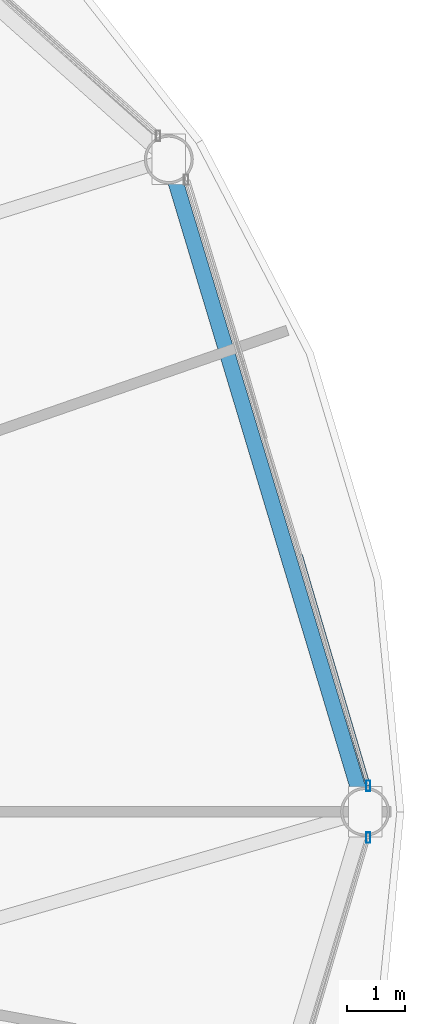
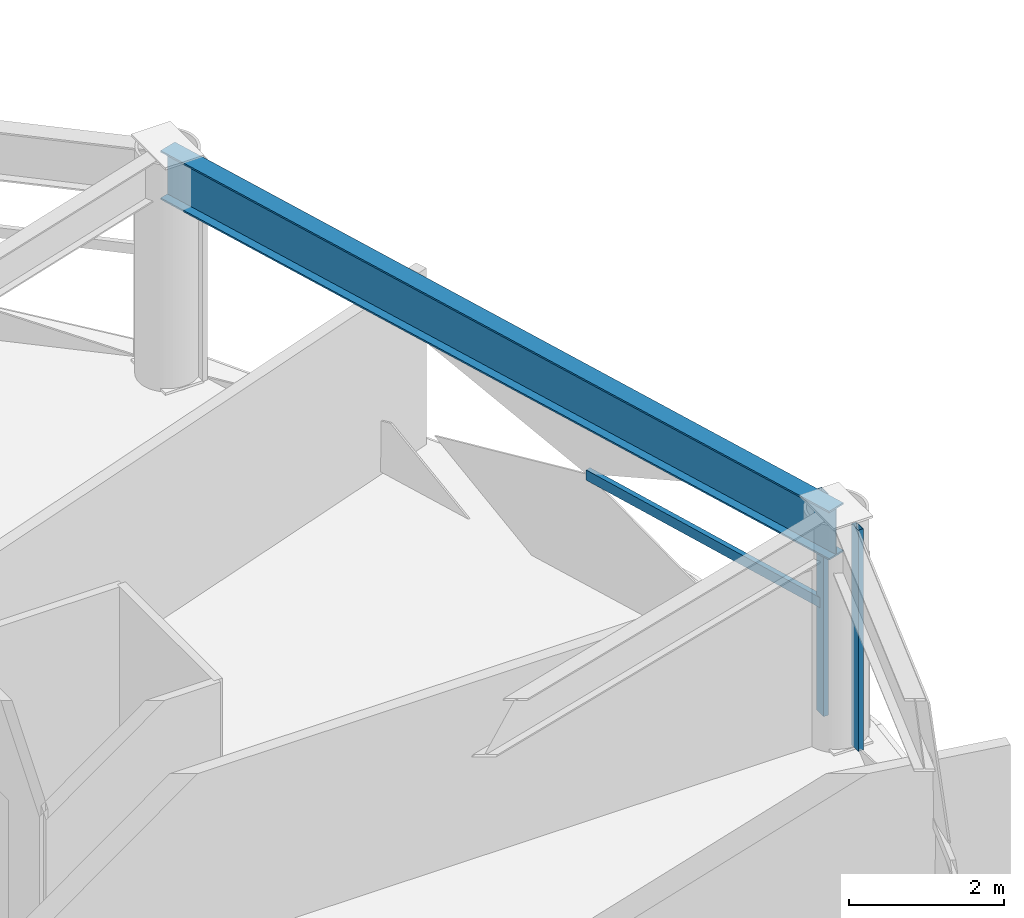
# One storey, part 13 of 31: 3 members, 1 beam, 2 elements without a shape of their own.
"""IFC4 building model written with IfcOpenShell, lengths in metres."""

from ifc_helpers import new_model, si_unit, direction, frame, origin, origin_2d, place, context, subcontext, project, spatial, hollow_rectangle, i_section, extrude, material, layer, layer_set, material_profile, profile_set, type_object, element, aggregate, save


model = new_model("IFC4")

# Units and contexts
model_context = context("Model", 3, precision=1e-05, world=origin(), true_north=direction((0.0, 1.0)))
body_context = subcontext(model_context, "Body", "Model", "MODEL_VIEW")
ifc_project = project(units=[si_unit("LENGTHUNIT", "METRE"), si_unit("AREAUNIT", "SQUARE_METRE"), si_unit("VOLUMEUNIT", "CUBIC_METRE"), si_unit("PLANEANGLEUNIT", "RADIAN"), si_unit("MASSUNIT", "GRAM", prefix="KILO")], contexts=[model_context])

# Site, building, storey
site_placement = place(None, origin())
site = spatial("IfcSite", under=ifc_project, at=site_placement, CompositionType="ELEMENT")
building_placement = place(site_placement, origin())
building = spatial("IfcBuilding", under=site, at=building_placement, Name="Vantalir Tower", CompositionType="ELEMENT")
storey_placement = place(building_placement, frame((0.0, 0.0, 30.75)))
storey = spatial("IfcBuildingStorey", under=building, at=storey_placement, Name="L06", CompositionType="ELEMENT", Elevation=30.75)

# Beam
ifc_material_1 = material(Name="Steel S460", Category="steel")
ifc_material_profile_1 = material_profile(ifc_material_1, i_section(OverallWidth=0.26806640625, OverallDepth=0.77001953125, WebThickness=0.015625, FlangeThickness=0.025390625, at=origin_2d()), Name="Steel S460")
ifc_profile_set_1 = profile_set([ifc_material_profile_1], Name="Steel S460")
beam_type = type_object("IfcBeamType", Name="BM-RG-762x267", PredefinedType="USERDEFINED", material=ifc_profile_set_1)
beam_placement = place(storey_placement, frame((56.949951171875, 25.0, 3.18505859375), z_axis=(-0.288146508643, 0.957586335302, 0.0), x_axis=(-0.957586335302, -0.288146508643, 0.0)))
element("IfcBeam", 1, at=beam_placement, inside=storey, type_object=beam_type, Name="L06 Circumferential Ring Girder 01", ObjectType="GIRDER", PredefinedType="USERDEFINED", context=body_context, shape_type="SweptSolid", body=[
    extrude(i_section(OverallWidth=0.26806640625, OverallDepth=0.77001953125, WebThickness=0.015625, FlangeThickness=0.025390625, at=origin_2d()), origin(), (0.0, 0.0, 1.0), 11.833984375),
])

# Curtain wall, member
ifc_material_2 = material(Name="Champagne-silver PVDF aluminium and double-silver Low-E glass", Category="aluminium")
ifc_layer = layer(ifc_material_2, 0.18994140625)
ifc_layer_set = layer_set([ifc_layer], Name="Champagne-silver PVDF aluminium and double-silver Low-E glass")
curtain_wall_type = type_object("IfcCurtainWallType", Name="CW-DIAMOND-Z1", PredefinedType="USERDEFINED", material=ifc_layer_set)
curtain_wall_1_placement = place(storey_placement, origin())
curtain_wall_1 = element("IfcCurtainWall", 2, at=curtain_wall_1_placement, inside=storey, type_object=curtain_wall_type, Name="L06 Quilted Pyramid-Diamond Curtain Wall S01", ObjectType="UNITISED CURTAIN WALL", PredefinedType="USERDEFINED")
ifc_material_3 = material(Name="Champagne-silver PVDF aluminium 6063-T6", Category="aluminium")
ifc_material_profile_2 = material_profile(ifc_material_3, hollow_rectangle(XDim=0.074951171875, YDim=0.179931640625, WallThickness=0.00390625, at=origin_2d()), Name="Champagne-silver PVDF aluminium 6063-T6")
ifc_profile_set_2 = profile_set([ifc_material_profile_2], Name="Champagne-silver PVDF aluminium 6063-T6")
member_type_1 = type_object("IfcMemberType", Name="CWM-180x75", PredefinedType="MULLION", material=ifc_profile_set_2)
member_1_placement = place(storey_placement, frame((57.0048828125, 25.449951171875, 0.044921875), z_axis=(0.0, 0.0, 1.0), x_axis=(1.0, 0.0, 0.0)))
member_1 = element("IfcMember", 3, at=member_1_placement, type_object=member_type_1, Name="CW-L06-S01 Mullion 1", PredefinedType="MULLION", context=body_context, shape_type="SweptSolid", body=[
    extrude(hollow_rectangle(XDim=0.074951171875, YDim=0.179931640625, WallThickness=0.00390625, at=origin_2d()), origin(), (0.0, 0.0, 1.0), 3.47998046875),
])

curtain_wall_2_placement = place(storey_placement, origin())
curtain_wall_2 = element("IfcCurtainWall", 4, at=curtain_wall_2_placement, inside=storey, type_object=curtain_wall_type, Name="L06 Quilted Pyramid-Diamond Curtain Wall S12", ObjectType="UNITISED CURTAIN WALL", PredefinedType="USERDEFINED")
member_2_placement = place(storey_placement, frame((57.0048828125, 24.550048828125, 0.044921875), z_axis=(0.0, 0.0, 1.0), x_axis=(1.0, 0.0, 0.0)))
member_2 = element("IfcMember", 5, at=member_2_placement, type_object=member_type_1, Name="CW-L06-S12 Mullion 2", PredefinedType="MULLION", context=body_context, shape_type="SweptSolid", body=[
    extrude(hollow_rectangle(XDim=0.074951171875, YDim=0.179931640625, WallThickness=0.00390625, at=origin_2d()), origin(), (0.0, 0.0, 1.0), 3.47998046875),
])
aggregate(curtain_wall_2, [member_2])

# Member
ifc_material_profile_3 = material_profile(ifc_material_3, hollow_rectangle(XDim=0.074951171875, YDim=0.159912109375, WallThickness=0.00390625, at=origin_2d()), Name="Champagne-silver PVDF aluminium 6063-T6")
ifc_profile_set_3 = profile_set([ifc_material_profile_3], Name="Champagne-silver PVDF aluminium 6063-T6")
member_type_2 = type_object("IfcMemberType", Name="CWT-160x75", PredefinedType="USERDEFINED", material=ifc_profile_set_3)
member_3_placement = place(storey_placement, frame((57.0048828125, 25.449951171875, 1.784912109375), z_axis=(-0.282381598716, 0.959302159232, 0.0), x_axis=(-0.959302159232, -0.282381598716, 0.0)))
member_3 = element("IfcMember", 6, at=member_3_placement, type_object=member_type_2, Name="CW-L06-S01 Pyramid Fold Ridge Transom", ObjectType="TRANSOM", PredefinedType="USERDEFINED", context=body_context, shape_type="SweptSolid", body=[
    extrude(hollow_rectangle(XDim=0.074951171875, YDim=0.159912109375, WallThickness=0.00390625, at=origin_2d()), origin(), (0.0, 0.0, 1.0), 4.175048828125),
])

aggregate(curtain_wall_1, [member_1, member_3])

save(model, "model.ifc")
